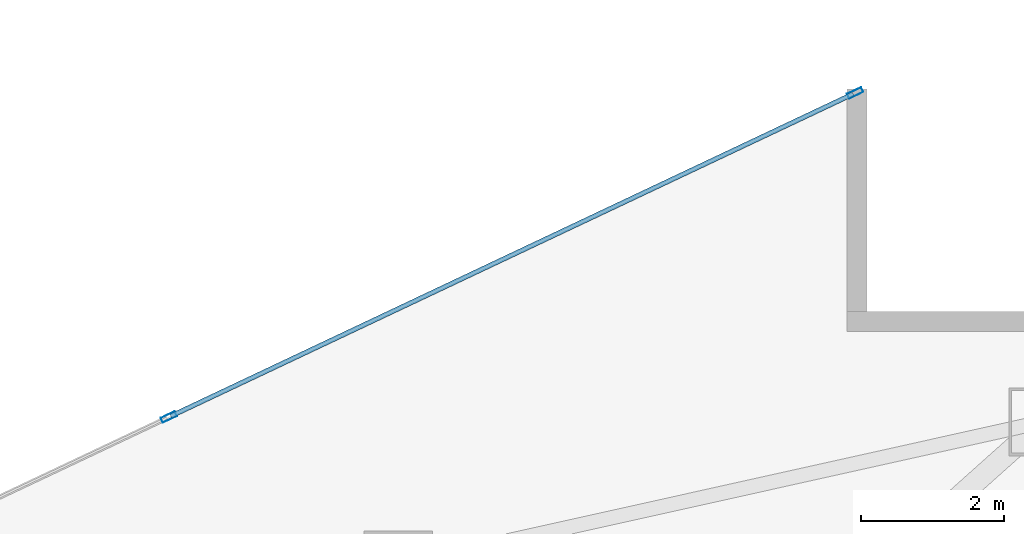
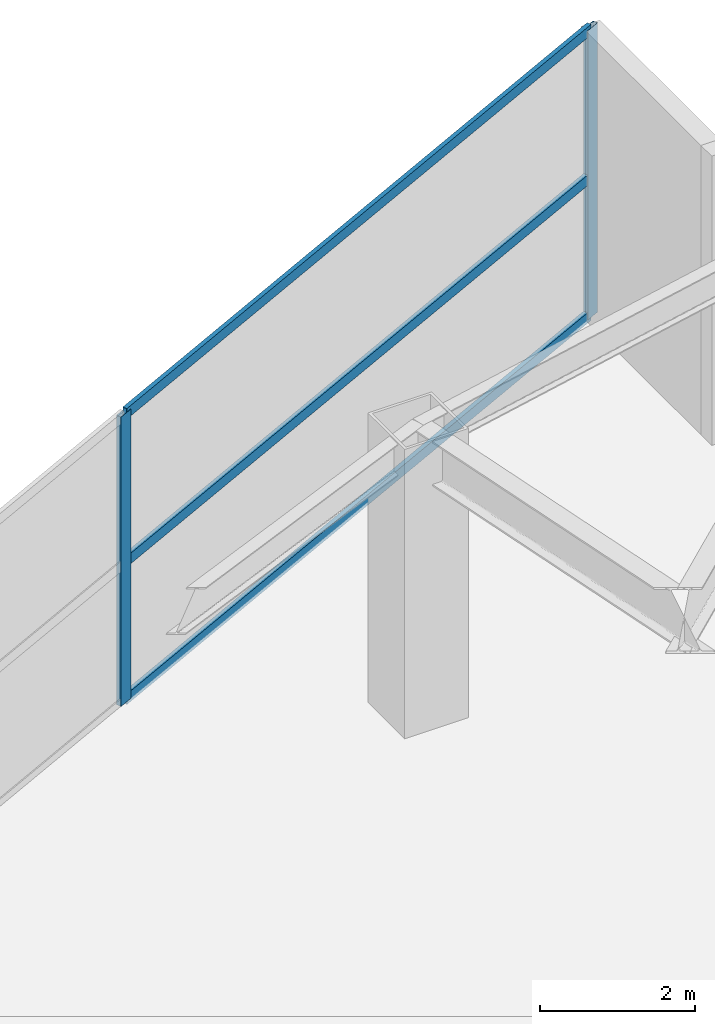
# One storey, part 8 of 18: 5 members, 1 element without a shape of its own.
"""IFC4 building model written with IfcOpenShell, lengths in metres."""

from ifc_helpers import new_model, si_unit, direction, frame, origin, origin_2d, place, context, subcontext, project, spatial, hollow_rectangle, extrude, material, layer, layer_set, material_profile, profile_set, type_object, element, aggregate, save


model = new_model("IFC4")

# Units and contexts
model_context = context("Model", 3, precision=1e-05, world=origin(), true_north=direction((0.0, 1.0)))
body_context = subcontext(model_context, "Body", "Model", "MODEL_VIEW")
ifc_project = project(units=[si_unit("LENGTHUNIT", "METRE"), si_unit("AREAUNIT", "SQUARE_METRE"), si_unit("VOLUMEUNIT", "CUBIC_METRE"), si_unit("PLANEANGLEUNIT", "RADIAN"), si_unit("MASSUNIT", "GRAM", prefix="KILO")], contexts=[model_context])

# Site, building, storey
site_placement = place(None, origin())
site = spatial("IfcSite", under=ifc_project, at=site_placement, CompositionType="ELEMENT")
building_placement = place(site_placement, origin())
building = spatial("IfcBuilding", under=site, at=building_placement, Name="Calvorn Quay Hotel", CompositionType="ELEMENT")
storey_placement = place(building_placement, frame((0.0, 0.0, 46.0)))
storey = spatial("IfcBuildingStorey", under=building, at=storey_placement, Name="L10", CompositionType="ELEMENT", Elevation=46.0)

# Curtain wall, members
ifc_material_1 = material(Name="Pale Anodised Aluminium and Low-E Glass", Category="aluminium")
ifc_layer = layer(ifc_material_1, 0.219970703125)
ifc_layer_set = layer_set([ifc_layer], Name="CW-SYS-Z1")
curtain_wall_type = type_object("IfcCurtainWallType", Name="CW-SYS-Z1", PredefinedType="NOTDEFINED", material=ifc_layer_set)
curtain_wall_placement = place(storey_placement, origin())
curtain_wall = element("IfcCurtainWall", 1, at=curtain_wall_placement, inside=storey, type_object=curtain_wall_type, Name="Inner Court Curtain Wall L10-NE1", PredefinedType="NOTDEFINED")
ifc_material_2 = material(Name="Pale Anodised Aluminium 6063-T6", Category="aluminium")
ifc_material_profile_1 = material_profile(ifc_material_2, hollow_rectangle(XDim=0.074951171875, YDim=0.219970703125, WallThickness=0.00439453125, at=origin_2d()), Name="ALU-M220x75x4.5")
ifc_profile_set_1 = profile_set([ifc_material_profile_1], Name="Pale Anodised Aluminium 6063-T6")
member_type_1 = type_object("IfcMemberType", Name="CW-SYS-Z1-MUL", PredefinedType="MULLION", material=ifc_profile_set_1)
member_1_placement = place(storey_placement, frame((50.372802734375, 37.9873046875, 0.0), z_axis=(0.0, 0.0, 1.0), x_axis=(0.427006305415, -0.904248646743, 0.0)))
member_1 = element("IfcMember", 2, at=member_1_placement, type_object=member_type_1, Name="CW-L10-NE1 mullion 1", PredefinedType="MULLION", context=body_context, shape_type="SweptSolid", body=[
    extrude(hollow_rectangle(XDim=0.074951171875, YDim=0.219970703125, WallThickness=0.00439453125, at=origin_2d()), origin(), (0.0, 0.0, 1.0), 4.56005859375),
])
member_2_placement = place(storey_placement, frame((40.800048828125, 33.466552734375, 0.0), z_axis=(0.0, 0.0, 1.0), x_axis=(0.427006305415, -0.904248646743, 0.0)))
member_2 = element("IfcMember", 3, at=member_2_placement, type_object=member_type_1, Name="CW-L10-NE1 mullion 2", PredefinedType="MULLION", context=body_context, shape_type="SweptSolid", body=[
    extrude(hollow_rectangle(XDim=0.074951171875, YDim=0.219970703125, WallThickness=0.00439453125, at=origin_2d()), origin(), (0.0, 0.0, 1.0), 4.56005859375),
])
ifc_material_3 = material(Name="Pale Anodised Aluminium 6063-T6", Category="aluminium")
ifc_material_profile_2 = material_profile(ifc_material_3, hollow_rectangle(XDim=0.06494140625, YDim=0.1650390625, WallThickness=0.00341796875, at=origin_2d()), Name="ALU-T165x65x3.5")
ifc_profile_set_2 = profile_set([ifc_material_profile_2], Name="Pale Anodised Aluminium 6063-T6")
member_type_2 = type_object("IfcMemberType", Name="CW-SYS-Z1-TRN", PredefinedType="USERDEFINED", material=ifc_profile_set_2)
member_3_placement = place(storey_placement, frame((50.345703125, 37.974365234375, 0.030029296875), z_axis=(-0.904248646746, -0.427006305408, 0.0), x_axis=(0.427006305408, -0.904248646746, 0.0)))
member_3 = element("IfcMember", 4, at=member_3_placement, type_object=member_type_2, Name="CW-L10-NE1 transom 1.1", ObjectType="TRANSOM", PredefinedType="USERDEFINED", context=body_context, shape_type="SweptSolid", body=[
    extrude(hollow_rectangle(XDim=0.06494140625, YDim=0.1650390625, WallThickness=0.00341796875, at=origin_2d()), origin(), (0.0, 0.0, 1.0), 10.5263671875),
])
member_4_placement = place(storey_placement, frame((50.345703125, 37.974365234375, 2.199951171875), z_axis=(-0.904248646746, -0.427006305408, 0.0), x_axis=(0.427006305408, -0.904248646746, 0.0)))
member_4 = element("IfcMember", 5, at=member_4_placement, type_object=member_type_2, Name="CW-L10-NE1 transom 1.2", ObjectType="TRANSOM", PredefinedType="USERDEFINED", context=body_context, shape_type="SweptSolid", body=[
    extrude(hollow_rectangle(XDim=0.06494140625, YDim=0.1650390625, WallThickness=0.00341796875, at=origin_2d()), origin(), (0.0, 0.0, 1.0), 10.5263671875),
])
member_5_placement = place(storey_placement, frame((50.345703125, 37.974365234375, 4.530029296875), z_axis=(-0.904248646746, -0.427006305408, 0.0), x_axis=(0.427006305408, -0.904248646746, 0.0)))
member_5 = element("IfcMember", 6, at=member_5_placement, type_object=member_type_2, Name="CW-L10-NE1 transom 1.3", ObjectType="TRANSOM", PredefinedType="USERDEFINED", context=body_context, shape_type="SweptSolid", body=[
    extrude(hollow_rectangle(XDim=0.06494140625, YDim=0.1650390625, WallThickness=0.00341796875, at=origin_2d()), origin(), (0.0, 0.0, 1.0), 10.5263671875),
])
aggregate(curtain_wall, [member_1, member_2, member_3, member_4, member_5])

save(model, "model.ifc")
